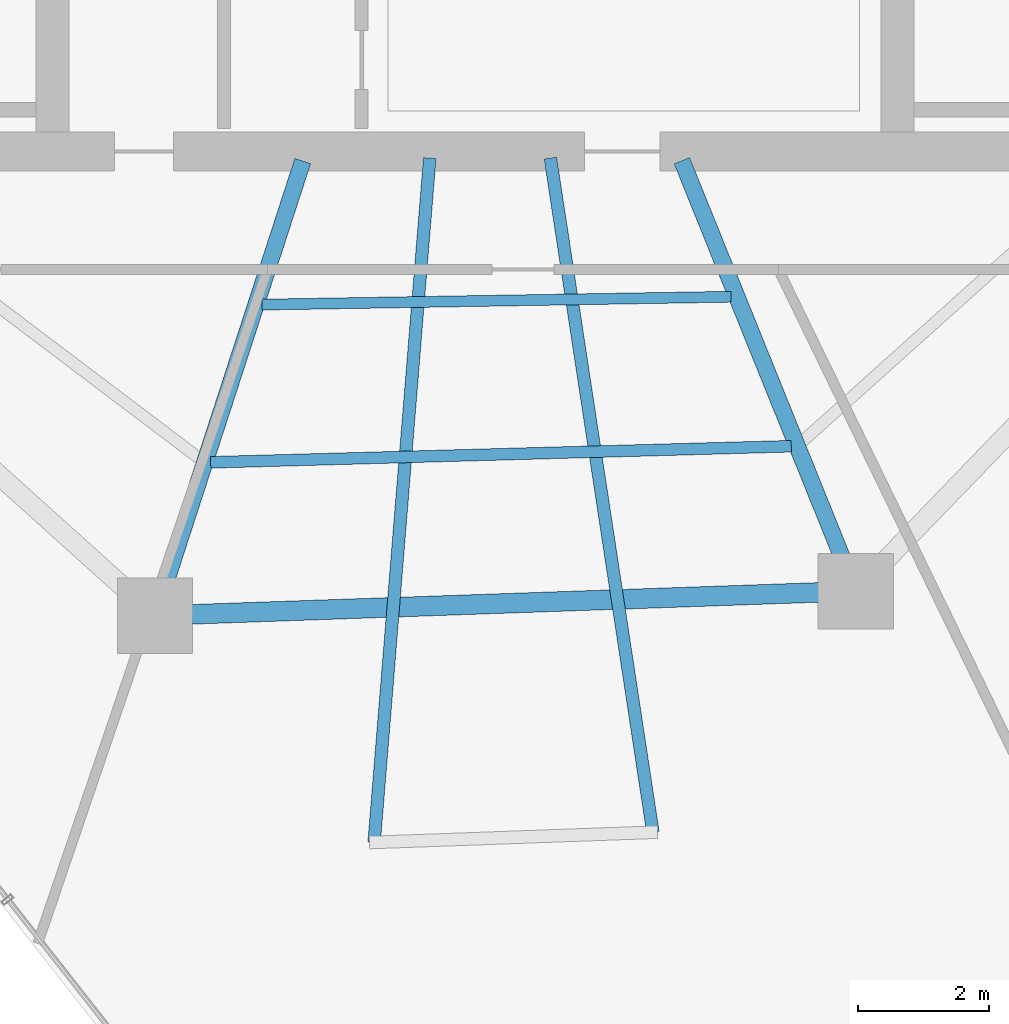
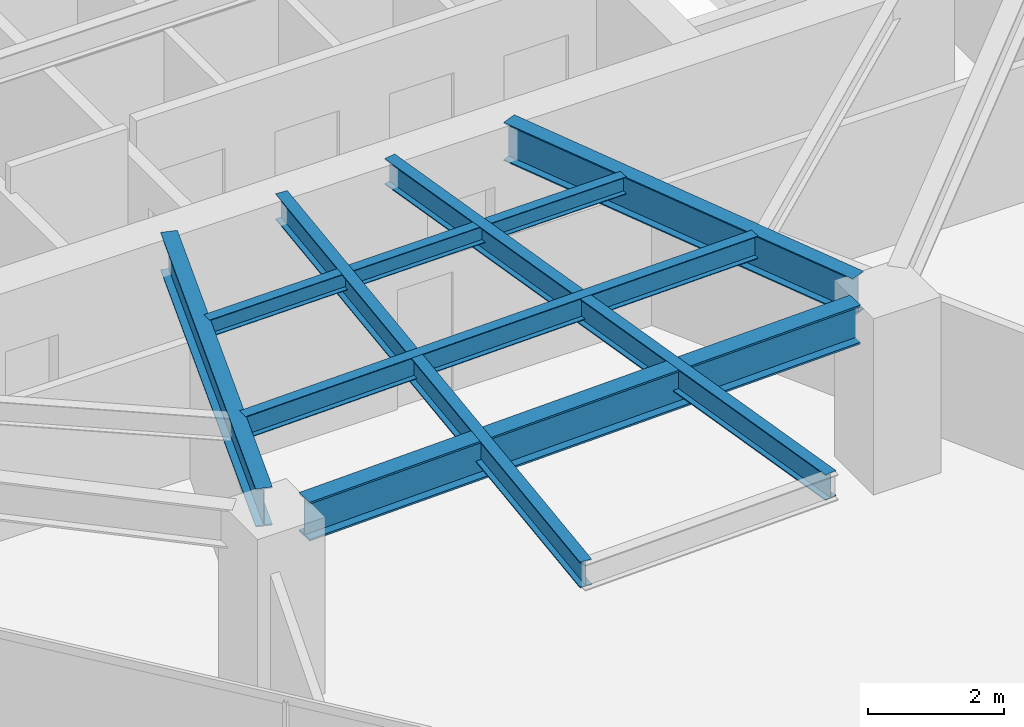
# One storey, part 6 of 29: 7 beams.
"""IFC4 building model written with IfcOpenShell, lengths in metres."""

from ifc_helpers import new_model, si_unit, direction, frame, origin, origin_2d, place, context, subcontext, project, spatial, i_section, extrude, material, material_profile, profile_set, type_object, element, save


model = new_model("IFC4")

# Units and contexts
model_context = context("Model", 3, precision=1e-05, world=origin(), true_north=direction((0.0, 1.0)))
body_context = subcontext(model_context, "Body", "Model", "MODEL_VIEW")
ifc_project = project(units=[si_unit("LENGTHUNIT", "METRE"), si_unit("AREAUNIT", "SQUARE_METRE"), si_unit("VOLUMEUNIT", "CUBIC_METRE"), si_unit("PLANEANGLEUNIT", "RADIAN"), si_unit("MASSUNIT", "GRAM", prefix="KILO")], contexts=[model_context])

# Site, building, storey
site_placement = place(None, origin())
site = spatial("IfcSite", under=ifc_project, at=site_placement, CompositionType="ELEMENT")
building_placement = place(site_placement, origin())
building = spatial("IfcBuilding", under=site, at=building_placement, Name="Qarnah Convention Tower", CompositionType="ELEMENT")
storey_placement = place(building_placement, frame((0.0, 0.0, 97.050048828125)))
storey = spatial("IfcBuildingStorey", under=building, at=storey_placement, Name="L25", CompositionType="ELEMENT", Elevation=97.050048828125)

# Beams
ifc_material = material(Name="Structural steel S355JR", Category="steel")
ifc_material_profile_1 = material_profile(ifc_material, i_section(OverallWidth=0.19189453125, OverallDepth=0.464111328125, WebThickness=0.010986328125, FlangeThickness=0.01806640625, at=origin_2d()), Name="W460X89")
ifc_profile_set_1 = profile_set([ifc_material_profile_1], Name="Structural steel S355JR")
beam_type_1 = type_object("IfcBeamType", Name="BM-CANT-W460A", PredefinedType="BEAM", material=ifc_profile_set_1)
beam_1_placement = place(storey_placement, frame((38.40087890625, 18.5009765625, 2.93798828125), z_axis=(0.150335373551, -0.988635056762, 0.0), x_axis=(0.988635056762, 0.150335373551, 0.0)))
element("IfcBeam", 1, at=beam_1_placement, inside=storey, type_object=beam_type_1, Name="L25 beam BM-L25-CNT-03-1", PredefinedType="BEAM", context=body_context, shape_type="SweptSolid", body=[
    extrude(i_section(OverallWidth=0.19189453125, OverallDepth=0.464111328125, WebThickness=0.010986328125, FlangeThickness=0.01806640625, at=origin_2d()), origin(), (0.0, 0.0, 1.0), 10.411376953125),
])
beam_2_placement = place(storey_placement, frame((36.55908203125, 18.5, 2.93798828125), z_axis=(-0.081026671921, -0.996711933528, 0.0), x_axis=(0.996711933528, -0.081026671921, 0.0)))
element("IfcBeam", 2, at=beam_2_placement, inside=storey, type_object=beam_type_1, Name="L25 beam BM-L25-CNT-03-2", PredefinedType="BEAM", context=body_context, shape_type="SweptSolid", body=[
    extrude(i_section(OverallWidth=0.19189453125, OverallDepth=0.464111328125, WebThickness=0.010986328125, FlangeThickness=0.01806640625, at=origin_2d()), origin(), (0.0, 0.0, 1.0), 10.4794921875),
])
ifc_material_profile_2 = material_profile(ifc_material, i_section(OverallWidth=0.166015625, OverallDepth=0.31201171875, WebThickness=0.007080078125, FlangeThickness=0.010986328125, at=origin_2d()), Name="W310X45")
ifc_profile_set_2 = profile_set([ifc_material_profile_2], Name="Structural steel S355JR")
beam_type_2 = type_object("IfcBeamType", Name="BM-JST-W310", PredefinedType="JOIST", material=ifc_profile_set_2)
beam_3_placement = place(storey_placement, frame((33.99609375, 16.263916015625, 3.013916015625), z_axis=(0.99985934511, 0.016771702219, 0.0), x_axis=(-0.016771702219, 0.99985934511, 0.0)))
element("IfcBeam", 3, at=beam_3_placement, inside=storey, type_object=beam_type_2, Name="L25 joist BM-L25-IJST-07", PredefinedType="JOIST", context=body_context, shape_type="SweptSolid", body=[
    extrude(i_section(OverallWidth=0.166015625, OverallDepth=0.31201171875, WebThickness=0.007080078125, FlangeThickness=0.010986328125, at=origin_2d()), origin(), (0.0, 0.0, 1.0), 7.161865234375),
])
ifc_material_profile_3 = material_profile(ifc_material, i_section(OverallWidth=0.177978515625, OverallDepth=0.407958984375, WebThickness=0.008056640625, FlangeThickness=0.012939453125, at=origin_2d()), Name="W410X60")
ifc_profile_set_3 = profile_set([ifc_material_profile_3], Name="Structural steel S355JR")
beam_type_3 = type_object("IfcBeamType", Name="BM-JST-W410", PredefinedType="JOIST", material=ifc_profile_set_3)
beam_4_placement = place(storey_placement, frame((33.214111328125, 13.85595703125, 2.966064453125), z_axis=(0.999614802667, 0.027753311328, 0.0), x_axis=(-0.027753311328, 0.999614802667, 0.0)))
element("IfcBeam", 4, at=beam_4_placement, inside=storey, type_object=beam_type_3, Name="L25 joist BM-L25-SJST-07", PredefinedType="JOIST", context=body_context, shape_type="SweptSolid", body=[
    extrude(i_section(OverallWidth=0.177978515625, OverallDepth=0.407958984375, WebThickness=0.008056640625, FlangeThickness=0.012939453125, at=origin_2d()), origin(), (0.0, 0.0, 1.0), 8.8671875),
])
ifc_material_profile_4 = material_profile(ifc_material, i_section(OverallWidth=0.25390625, OverallDepth=0.68798828125, WebThickness=0.012939453125, FlangeThickness=0.02099609375, at=origin_2d()), Name="W690X152")
ifc_profile_set_4 = profile_set([ifc_material_profile_4], Name="Structural steel S355JR")
beam_type_4 = type_object("IfcBeamType", Name="BM-RAD-W690", PredefinedType="BEAM", material=ifc_profile_set_4)
beam_5_placement = place(storey_placement, frame((34.6201171875, 18.45703125, 2.825927734375), z_axis=(-0.30908279771, -0.951035132979, 0.0), x_axis=(0.951035132979, -0.30908279771, 0.0)))
element("IfcBeam", 5, at=beam_5_placement, inside=storey, type_object=beam_type_4, Name="L25 beam BM-L25-RAD-07", PredefinedType="BEAM", context=body_context, shape_type="SweptSolid", body=[
    extrude(i_section(OverallWidth=0.25390625, OverallDepth=0.68798828125, WebThickness=0.012939453125, FlangeThickness=0.02099609375, at=origin_2d()), origin(), (0.0, 0.0, 1.0), 6.7431640625),
])
beam_6_placement = place(storey_placement, frame((40.407958984375, 18.4609375, 2.825927734375), z_axis=(0.374642886347, -0.927169190445, 0.0), x_axis=(0.927169190445, 0.374642886347, 0.0)))
element("IfcBeam", 6, at=beam_6_placement, inside=storey, type_object=beam_type_4, Name="L25 beam BM-L25-RAD-08", PredefinedType="BEAM", context=body_context, shape_type="SweptSolid", body=[
    extrude(i_section(OverallWidth=0.25390625, OverallDepth=0.68798828125, WebThickness=0.012939453125, FlangeThickness=0.02099609375, at=origin_2d()), origin(), (0.0, 0.0, 1.0), 6.531494140625),
])
ifc_material_profile_5 = material_profile(ifc_material, i_section(OverallWidth=0.300048828125, OverallDepth=0.699951171875, WebThickness=0.01708984375, FlangeThickness=0.031982421875, at=origin_2d()), Name="HEB700")
ifc_profile_set_5 = profile_set([ifc_material_profile_5], Name="Structural steel S355JR")
beam_type_5 = type_object("IfcBeamType", Name="BM-RING-HEB700", PredefinedType="BEAM", material=ifc_profile_set_5)
beam_7_placement = place(storey_placement, frame((32.928955078125, 11.535888671875, 2.820068359375), z_axis=(0.999390577592, 0.03490663862, 0.0), x_axis=(-0.03490663862, 0.999390577592, 0.0)))
element("IfcBeam", 7, at=beam_7_placement, inside=storey, type_object=beam_type_5, Name="L25 beam BM-L25-SPN-07", PredefinedType="BEAM", context=body_context, shape_type="SweptSolid", body=[
    extrude(i_section(OverallWidth=0.300048828125, OverallDepth=0.699951171875, WebThickness=0.01708984375, FlangeThickness=0.031982421875, at=origin_2d()), origin(), (0.0, 0.0, 1.0), 9.574951171875),
])

save(model, "model.ifc")
